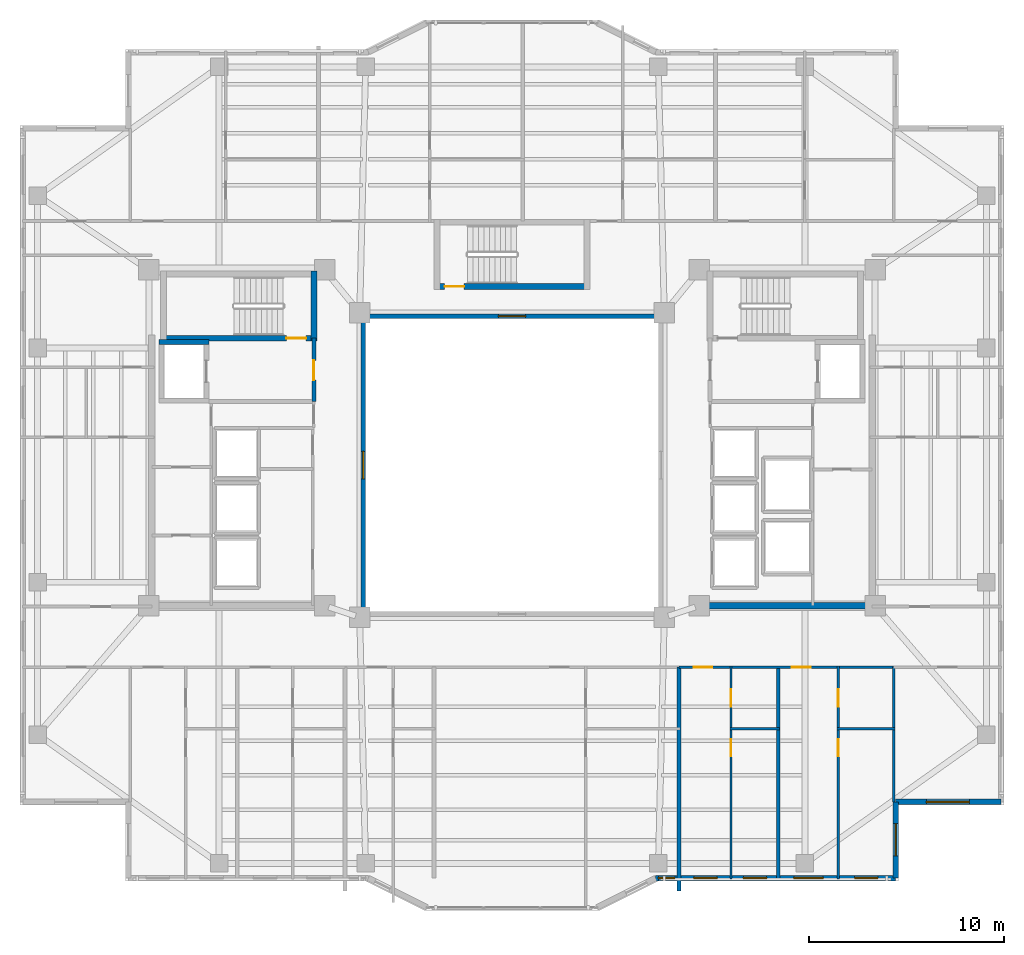
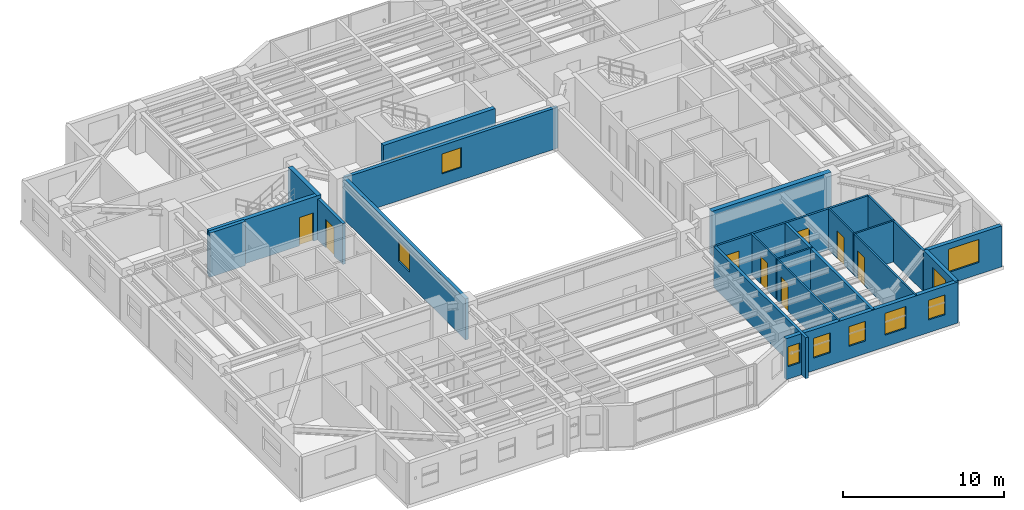
# One storey, part 8 of 16: 21 walls, 9 doors, 9 windows, 18 openings.
"""IFC4 building model written with IfcOpenShell, lengths in metres."""

import ifcopenshell
import ifcopenshell.guid

model = None  # the IFC model being written
_history = None  # IfcOwnerHistory: only IFC2X3 demands one
_inside = {}  # id of a spatial element -> (the spatial element, [elements in it])
_under = {}  # id of a project, library or spatial element -> (it, [spatial elements below it])
_declared = {}  # id of a project -> (the project, [libraries it declares])
_typed = {}  # id of a type object -> (the type object, [elements of that type])
_made_of = {}  # id of a material, layer set ... -> (it, [elements and type objects made of it])


def new_model(schema):
    """Start an empty IFC model of exactly this schema.

    Asked for "IFC4X3", IfcOpenShell would pick the latest addendum, in which some entities
    have other attributes; the version numbers below select the first issue.
    IFC2X3 requires an IfcOwnerHistory on every rooted entity: one is made here for all.
    """
    global model, _history
    if schema == "IFC4X3":
        model = ifcopenshell.file(schema_version=(4, 3, 0, 0))
    else:
        model = ifcopenshell.file(schema=schema)
    _inside.clear()
    _under.clear()
    _declared.clear()
    _typed.clear()
    _made_of.clear()
    _history = None
    if model.schema == "IFC2X3":
        org = make("IfcOrganization", Name="unknown")
        user = make(
            "IfcPersonAndOrganization",
            ThePerson=make("IfcPerson", FamilyName="unknown"),
            TheOrganization=org,
        )
        app = make(
            "IfcApplication",
            ApplicationDeveloper=org,
            Version="unknown",
            ApplicationFullName="unknown",
            ApplicationIdentifier="unknown",
        )
        _history = make(
            "IfcOwnerHistory",
            OwningUser=user,
            OwningApplication=app,
            ChangeAction="ADDED",
            CreationDate=0,
        )
    return model


def make(cls, **values):
    """One entity of the class cls with the attributes given. An attribute that is None is left unset."""
    return model.create_entity(
        cls, **{name: value for name, value in values.items() if value is not None}
    )


def rooted(cls, **values):
    """An entity with a GlobalId (a new one), such as an element, a storey or a relation."""
    return make(cls, GlobalId=ifcopenshell.guid.new(), OwnerHistory=_history, **values)


def si_unit(unit_type, name, prefix=None):
    """IfcSIUnit, for example si_unit("LENGTHUNIT", "METRE", prefix="MILLI")."""
    return make("IfcSIUnit", UnitType=unit_type, Prefix=prefix, Name=name)


def assignment(units):
    """IfcUnitAssignment: the units of a project."""
    return None if units is None else make("IfcUnitAssignment", Units=units)


def point(xyz):
    """IfcCartesianPoint."""
    return None if xyz is None else make("IfcCartesianPoint", Coordinates=xyz)


def direction(xyz):
    """IfcDirection."""
    return None if xyz is None else make("IfcDirection", DirectionRatios=xyz)


def frame(location, z_axis=None, x_axis=None):
    """IfcAxis2Placement3D, a coordinate frame: its origin and axes. An axis left out is left unset."""
    return make(
        "IfcAxis2Placement3D",
        Location=point(location),
        Axis=direction(z_axis),
        RefDirection=direction(x_axis),
    )


def frame_2d(location, x_axis=None):
    """IfcAxis2Placement2D, a coordinate frame in the plane: its origin and x axis."""
    return make(
        "IfcAxis2Placement2D", Location=point(location), RefDirection=direction(x_axis)
    )


def origin():
    """The frame at (0, 0, 0) with its axes left unset."""
    return frame((0.0, 0.0, 0.0))


def place(relative_to, where):
    """IfcLocalPlacement: puts the frame where relative to a parent placement (None: the world)."""
    return make(
        "IfcLocalPlacement", PlacementRelTo=relative_to, RelativePlacement=where
    )


def context(
    kind, dimensions, precision=None, world=None, true_north=None, identifier=None
):
    """IfcGeometricRepresentationContext, for example the 3D "Model" context."""
    return make(
        "IfcGeometricRepresentationContext",
        ContextIdentifier=identifier,
        ContextType=kind,
        CoordinateSpaceDimension=dimensions,
        Precision=precision,
        WorldCoordinateSystem=world,
        TrueNorth=true_north,
    )


def subcontext(parent, identifier, kind, view, scale=None):
    """IfcGeometricRepresentationSubContext, for example "Body" below "Model"."""
    return make(
        "IfcGeometricRepresentationSubContext",
        ContextIdentifier=identifier,
        ContextType=kind,
        ParentContext=parent,
        TargetScale=scale,
        TargetView=view,
    )


def project(units=None, contexts=None):
    """IfcProject with its units and contexts."""
    return rooted(
        "IfcProject",
        Name="project",
        RepresentationContexts=contexts,
        UnitsInContext=assignment(units),
    )


def spatial(cls, under=None, at=None, **own):
    """A site, building, storey or space (cls), placed at a placement, below another one or the project."""
    s = rooted(cls, ObjectPlacement=at, **own)
    if under is not None:
        _under.setdefault(under.id(), (under, []))[1].append(s)
    return s


def profile(cls, at=None, kind="AREA", **sizes):
    """A parametric profile (cls). Its sizes go by their IFC names, for example OverallWidth=200.0."""
    return make(cls, ProfileType=kind, Position=at, **sizes)


def rectangle(**sizes):
    """IfcRectangleProfileDef."""
    return profile("IfcRectangleProfileDef", **sizes)


def extrude(swept, where, along, depth):
    """IfcExtrudedAreaSolid: the profile swept, set in the frame where, extruded along a direction by depth."""
    return make(
        "IfcExtrudedAreaSolid",
        SweptArea=swept,
        Position=where,
        ExtrudedDirection=direction(along),
        Depth=depth,
    )


def shape(context_of_items, identifier, shape_type, items):
    """IfcShapeRepresentation: the items that make up one representation, for example the "Body"."""
    return make(
        "IfcShapeRepresentation",
        ContextOfItems=context_of_items,
        RepresentationIdentifier=identifier,
        RepresentationType=shape_type,
        Items=items,
    )


def material(Name=None, Category=None):
    """IfcMaterial."""
    return make("IfcMaterial", Name=Name, Category=Category)


def layer(
    of_material, thickness, ventilated=None, Name=None, Category=None, Priority=None
):
    """IfcMaterialLayer: one layer of a wall or slab, of a material (None: an air gap)."""
    return make(
        "IfcMaterialLayer",
        Material=of_material,
        LayerThickness=thickness,
        IsVentilated=ventilated,
        Name=Name,
        Category=Category,
        Priority=Priority,
    )


def layer_set(layers, Name=None):
    """IfcMaterialLayerSet."""
    return make("IfcMaterialLayerSet", MaterialLayers=layers, LayerSetName=Name)


def made_of(thing, what):
    """Note that an element or type object is made of a material, layer set ...; save() writes the relation."""
    if what is not None:
        _made_of.setdefault(what.id(), (what, []))[1].append(thing)
    return thing


def type_object(cls, material=None, **own):
    """A type object (cls), such as IfcWallType, which elements share."""
    return made_of(rooted(cls, **own), material)


def element(
    cls,
    number,
    at=None,
    inside=None,
    cuts=None,
    type_object=None,
    material=None,
    context=None,
    identifier="Body",
    shape_type=None,
    held_by="IfcProductDefinitionShape",
    body=None,
    shapes=None,
    **own,
):
    """One element of the class cls, such as IfcWall. Its Tag is "e" and its number.

    at: its placement. inside: the storey or other place that contains it. cuts: it is an
    opening in that element (IfcRelVoidsElement). A single representation is given by context,
    identifier, shape_type and body (its items); several are given by shapes. held_by: the class
    of the entity that holds the representations. save() writes the other relations.
    """
    e = rooted(cls, Tag="e%d" % number, ObjectPlacement=at, **own)
    if body is not None:
        shapes = [shape(context, identifier, shape_type, body)]
    if shapes is not None:
        e.Representation = make(held_by, Representations=shapes)
    if inside is not None:
        _inside.setdefault(inside.id(), (inside, []))[1].append(e)
    if cuts is not None:
        rooted(
            "IfcRelVoidsElement", RelatingBuildingElement=cuts, RelatedOpeningElement=e
        )
    if type_object is not None:
        _typed.setdefault(type_object.id(), (type_object, []))[1].append(e)
    return made_of(e, material)


def fill(opening, filler):
    """IfcRelFillsElement: the door or window that sits in an opening."""
    return rooted(
        "IfcRelFillsElement",
        RelatingOpeningElement=opening,
        RelatedBuildingElement=filler,
    )


def aggregate(whole, parts):
    """IfcRelAggregates: a whole, such as a stair, and the parts it consists of."""
    return rooted("IfcRelAggregates", RelatingObject=whole, RelatedObjects=parts)


def save(model, path):
    """Write the relations noted so far, then the file.

    IfcRelAggregates (storeys below a building ...), IfcRelContainedInSpatialStructure (elements
    in a storey), IfcRelDefinesByType, IfcRelAssociatesMaterial and IfcRelDeclares: one each for
    every whole, place, type object, material and project.
    """
    for whole, parts in _under.values():
        aggregate(whole, parts)
    for where, things in _inside.values():
        rooted(
            "IfcRelContainedInSpatialStructure",
            RelatedElements=things,
            RelatingStructure=where,
        )
    for kind, things in _typed.values():
        rooted("IfcRelDefinesByType", RelatedObjects=things, RelatingType=kind)
    for what, things in _made_of.values():
        rooted("IfcRelAssociatesMaterial", RelatedObjects=things, RelatingMaterial=what)
    for by, libraries in _declared.values():
        rooted("IfcRelDeclares", RelatingContext=by, RelatedDefinitions=libraries)
    model.write(path)


model = new_model("IFC4")

# Units and contexts
model_context = context("Model", 3, precision=1e-05, world=origin(), true_north=direction((0.0, 1.0)))
body_context = subcontext(model_context, "Body", "Model", "MODEL_VIEW")
ifc_project = project(units=[si_unit("LENGTHUNIT", "METRE"), si_unit("AREAUNIT", "SQUARE_METRE"), si_unit("VOLUMEUNIT", "CUBIC_METRE"), si_unit("PLANEANGLEUNIT", "RADIAN"), si_unit("MASSUNIT", "GRAM", prefix="KILO")], contexts=[model_context])

# Site, building, storey
site_placement = place(None, origin())
site = spatial("IfcSite", under=ifc_project, at=site_placement, CompositionType="ELEMENT")
building_placement = place(site_placement, origin())
building = spatial("IfcBuilding", under=site, at=building_placement, Name="Tarnavaz Court Tower", CompositionType="ELEMENT")
storey_placement = place(building_placement, frame((0.0, 0.0, 135.949951171875)))
storey = spatial("IfcBuildingStorey", under=building, at=storey_placement, Name="L36", CompositionType="ELEMENT", Elevation=135.949951171875)

# Wall
ifc_material_1 = material(Name="Concrete C50/60", Category="concrete")
ifc_layer_1 = layer(ifc_material_1, 0.25)
ifc_layer_set_1 = layer_set([ifc_layer_1], Name="Concrete C50/60")
wall_type_1 = type_object("IfcWallType", Name="WL-CORE-250-C50", PredefinedType="SHEAR", material=ifc_layer_set_1)
wall_1_placement = place(storey_placement, frame((-18.074951171875, 6.300048828125, 0.0), z_axis=(0.0, 0.0, 1.0), x_axis=(1.0, 0.0, 0.0)))
element("IfcWall", 1, at=wall_1_placement, inside=storey, type_object=wall_type_1, Name="L36 Lift FL-W1 Shaft Wall 020", PredefinedType="SHEAR", context=body_context, shape_type="SweptSolid", body=[
    extrude(rectangle(XDim=2.550048828125, YDim=0.25, at=frame_2d((1.27490234375, 0.0))), origin(), (0.0, 0.0, 1.0), 3.35009765625),
])

# Wall, opening, door
ifc_layer_2 = layer(ifc_material_1, 0.300048828125)
ifc_layer_set_2 = layer_set([ifc_layer_2], Name="Concrete C50/60")
wall_type_2 = type_object("IfcWallType", Name="WL-CORE-300-C50", PredefinedType="SHEAR", material=ifc_layer_set_2)
wall_2_placement = place(storey_placement, frame((-18.0, 6.5, 0.0), z_axis=(0.0, 0.0, 1.0), x_axis=(1.0, 0.0, 0.0)))
wall_2 = element("IfcWall", 2, at=wall_2_placement, inside=storey, type_object=wall_type_2, Name="L36 West Stair Core Wall 002", PredefinedType="SHEAR", context=body_context, shape_type="SweptSolid", body=[
    extrude(rectangle(XDim=8.0, YDim=0.300048828125, at=frame_2d((4.0, 0.0))), origin(), (0.0, 0.0, 1.0), 3.35009765625),
])
opening_1_placement = place(wall_2_placement, frame((6.449951171875, 0.0, 0.0)))
opening_1 = element("IfcOpeningElement", 3, at=opening_1_placement, cuts=wall_2, Name="Opening D01", PredefinedType="OPENING", context=body_context, shape_type="SweptSolid", body=[
    extrude(rectangle(XDim=1.0, YDim=2.14990234375, at=frame_2d((0.5, 1.074951171875))), frame((0.0, 0.159912109375, 0.0), z_axis=(0.0, -1.0, 0.0), x_axis=(1.0, 0.0, 0.0)), (0.0, 0.0, 1.0), 0.320068359375),
])
ifc_material_2 = material(Name="Fire-Rated Hardwood Timber Core", Category="wood")
door_type_1 = type_object("IfcDoorType", Name="DR-FD90-1000", OperationType="NOTDEFINED", PredefinedType="DOOR", material=ifc_material_2)
door_1_placement = place(opening_1_placement, origin())
door_1 = element("IfcDoor", 4, at=door_1_placement, inside=storey, type_object=door_type_1, Name="L36 Stair ST-W1 Exit Door", OperationType="SINGLE_SWING_LEFT", OverallHeight=2.14990234375, OverallWidth=1.0, PredefinedType="DOOR", context=body_context, shape_type="SweptSolid", body=[
    extrude(rectangle(XDim=1.0, YDim=2.14990234375, at=frame_2d((0.5, 1.074951171875))), frame((0.0, 0.02490234375, 0.0), z_axis=(0.0, -1.0, 0.0), x_axis=(1.0, 0.0, 0.0)), (0.0, 0.0, 1.0), 0.050048828125),
])
fill(opening_1, door_1)

# Wall
wall_3_placement = place(storey_placement, frame((-10.14990234375, 6.35009765625, 0.0), z_axis=(0.0, 0.0, 1.0), x_axis=(0.0, 1.0, 0.0)))
element("IfcWall", 5, at=wall_3_placement, inside=storey, type_object=wall_type_2, Name="L36 West Stair Core Wall 004", PredefinedType="SHEAR", context=body_context, shape_type="SweptSolid", body=[
    extrude(rectangle(XDim=3.58984375, YDim=0.300048828125, at=frame_2d((1.794921875, 0.0))), origin(), (0.0, 0.0, 1.0), 3.35009765625),
])

# Wall, opening, door
wall_4_placement = place(storey_placement, frame((-4.0, 9.14990234375, 0.0), z_axis=(0.0, 0.0, 1.0), x_axis=(1.0, 0.0, 0.0)))
wall_4 = element("IfcWall", 6, at=wall_4_placement, inside=storey, type_object=wall_type_2, Name="L36 North Stair Core Wall 010", PredefinedType="SHEAR", context=body_context, shape_type="SweptSolid", body=[
    extrude(rectangle(XDim=8.0, YDim=0.300048828125, at=frame_2d((4.0, 0.0))), origin(), (0.0, 0.0, 1.0), 3.35009765625),
])
opening_2_placement = place(wall_4_placement, frame((0.550048828125, 0.0, 0.0)))
opening_2 = element("IfcOpeningElement", 7, at=opening_2_placement, cuts=wall_4, Name="Opening D01", PredefinedType="OPENING", context=body_context, shape_type="SweptSolid", body=[
    extrude(rectangle(XDim=1.0, YDim=2.14990234375, at=frame_2d((0.5, 1.074951171875))), frame((0.0, 0.159912109375, 0.0), z_axis=(0.0, -1.0, 0.0), x_axis=(1.0, 0.0, 0.0)), (0.0, 0.0, 1.0), 0.320068359375),
])
door_2_placement = place(opening_2_placement, origin())
door_2 = element("IfcDoor", 8, at=door_2_placement, inside=storey, type_object=door_type_1, Name="L36 Stair ST-N1 Exit Door", OperationType="SINGLE_SWING_LEFT", OverallHeight=2.14990234375, OverallWidth=1.0, PredefinedType="DOOR", context=body_context, shape_type="SweptSolid", body=[
    extrude(rectangle(XDim=1.0, YDim=2.14990234375, at=frame_2d((0.5, 1.074951171875))), frame((0.0, 0.02490234375, 0.0), z_axis=(0.0, -1.0, 0.0), x_axis=(1.0, 0.0, 0.0)), (0.0, 0.0, 1.0), 0.050048828125),
])
fill(opening_2, door_2)

# Wall
ifc_layer_3 = layer(ifc_material_1, 0.35009765625)
ifc_layer_set_3 = layer_set([ifc_layer_3], Name="Concrete C50/60")
wall_type_3 = type_object("IfcWallType", Name="WL-CORE-350-C50", PredefinedType="SHEAR", material=ifc_layer_set_3)
wall_5_placement = place(storey_placement, frame((10.074951171875, -7.199951171875, 0.0), z_axis=(0.0, 0.0, 1.0), x_axis=(1.0, 0.0, 0.0)))
element("IfcWall", 9, at=wall_5_placement, inside=storey, type_object=wall_type_3, Name="L36 East Core South Shear Wall 060", PredefinedType="SHEAR", context=body_context, shape_type="SweptSolid", body=[
    extrude(rectangle(XDim=8.550048828125, YDim=0.35009765625, at=frame_2d((4.27490234375, 0.0))), origin(), (0.0, 0.0, 1.0), 3.35009765625),
])

# Wall, opening, window
ifc_material_3 = material(Name="Precast Concrete C40/50", Category="concrete")
ifc_layer_4 = layer(ifc_material_3, 0.280029296875)
ifc_layer_set_4 = layer_set([ifc_layer_4], Name="Precast Concrete C40/50")
wall_type_4 = type_object("IfcWallType", Name="WL-EXT-280", PredefinedType="SOLIDWALL", material=ifc_layer_set_4)
wall_6_placement = place(storey_placement, frame((25.050048828125, -17.25, 0.0), z_axis=(0.0, 0.0, 1.0), x_axis=(-1.0, 0.0, 0.0)))
wall_6 = element("IfcWall", 10, at=wall_6_placement, inside=storey, type_object=wall_type_4, Name="L36 Exterior Terracotta Facade Wall 13", PredefinedType="SOLIDWALL", context=body_context, shape_type="SweptSolid", body=[
    extrude(rectangle(XDim=5.400146484375, YDim=0.280029296875, at=frame_2d((2.7001953125, 0.0))), origin(), (0.0, 0.0, 1.0), 3.10009765625),
])
opening_3_placement = place(wall_6_placement, frame((1.625, 0.0, 0.89990234375)))
opening_3 = element("IfcOpeningElement", 11, at=opening_3_placement, cuts=wall_6, Name="Opening W07", PredefinedType="OPENING", context=body_context, shape_type="SweptSolid", body=[
    extrude(rectangle(XDim=2.199951171875, YDim=1.75, at=frame_2d((1.10009765625, 0.875))), frame((0.0, 0.14990234375, 0.0), z_axis=(0.0, -1.0, 0.0), x_axis=(1.0, 0.0, 0.0)), (0.0, 0.0, 1.0), 0.300048828125),
])
ifc_material_4 = material(Name="Double-Glazed Solar Low-E Glass", Category="glass")
window_type_1 = type_object("IfcWindowType", Name="WN-APT-2200", PartitioningType="TRIPLE_PANEL_VERTICAL", PredefinedType="WINDOW", material=ifc_material_4)
window_1_placement = place(opening_3_placement, origin())
window_1 = element("IfcWindow", 12, at=window_1_placement, inside=storey, type_object=window_type_1, Name="L36 South-East Corner Reading Room Window", OverallHeight=1.75, OverallWidth=2.199951171875, PartitioningType="SINGLE_PANEL", PredefinedType="WINDOW", context=body_context, shape_type="SweptSolid", body=[
    extrude(rectangle(XDim=2.199951171875, YDim=1.75, at=frame_2d((1.10009765625, 0.875))), frame((0.0, 0.030029296875, 0.0), z_axis=(0.0, -1.0, 0.0), x_axis=(1.0, 0.0, 0.0)), (0.0, 0.0, 1.0), 0.06005859375),
])
fill(opening_3, window_1)

wall_7_placement = place(storey_placement, frame((19.64990234375, -17.25, 0.0), z_axis=(0.0, 0.0, 1.0), x_axis=(0.0, -1.0, 0.0)))
wall_7 = element("IfcWall", 13, at=wall_7_placement, inside=storey, type_object=wall_type_4, Name="L36 Exterior Terracotta Facade Wall 14", PredefinedType="SOLIDWALL", context=body_context, shape_type="SweptSolid", body=[
    extrude(rectangle(XDim=3.89990234375, YDim=0.280029296875, at=frame_2d((1.949951171875, 0.0))), origin(), (0.0, 0.0, 1.0), 3.10009765625),
])
opening_4_placement = place(wall_7_placement, frame((1.107177734375, 0.0, 0.89990234375)))
opening_4 = element("IfcOpeningElement", 14, at=opening_4_placement, cuts=wall_7, Name="Opening W02", PredefinedType="OPENING", context=body_context, shape_type="SweptSolid", body=[
    extrude(rectangle(XDim=1.64990234375, YDim=1.60009765625, at=frame_2d((0.824951171875, 0.800048828125))), frame((0.0, 0.14990234375, 0.0), z_axis=(0.0, -1.0, 0.0), x_axis=(1.0, 0.0, 0.0)), (0.0, 0.0, 1.0), 0.300048828125),
])
window_type_2 = type_object("IfcWindowType", Name="WN-APT-1650", PartitioningType="DOUBLE_PANEL_VERTICAL", PredefinedType="WINDOW", material=ifc_material_4)
window_2_placement = place(opening_4_placement, origin())
window_2 = element("IfcWindow", 15, at=window_2_placement, inside=storey, type_object=window_type_2, Name="L36 Flat 08 Kitchen Window", OverallHeight=1.60009765625, OverallWidth=1.64990234375, PartitioningType="SINGLE_PANEL", PredefinedType="WINDOW", context=body_context, shape_type="SweptSolid", body=[
    extrude(rectangle(XDim=1.64990234375, YDim=1.60009765625, at=frame_2d((0.824951171875, 0.800048828125))), frame((0.0, 0.030029296875, 0.0), z_axis=(0.0, -1.0, 0.0), x_axis=(1.0, 0.0, 0.0)), (0.0, 0.0, 1.0), 0.06005859375),
])
fill(opening_4, window_2)

# Wall, openings, windows
wall_8_placement = place(storey_placement, frame((19.64990234375, -21.14990234375, 0.0), z_axis=(0.0, 0.0, 1.0), x_axis=(-1.0, 0.0, 0.0)))
wall_8 = element("IfcWall", 16, at=wall_8_placement, inside=storey, type_object=wall_type_4, Name="L36 Exterior Terracotta Facade Wall 15", PredefinedType="SOLIDWALL", context=body_context, shape_type="SweptSolid", body=[
    extrude(rectangle(XDim=12.2998046875, YDim=0.280029296875, at=frame_2d((6.14990234375, 0.0))), origin(), (0.0, 0.0, 1.0), 3.10009765625),
])
opening_5_placement = place(wall_8_placement, frame((0.906005859375, 0.0, 0.949951171875)))
opening_5 = element("IfcOpeningElement", 17, at=opening_5_placement, cuts=wall_8, Name="Opening W05", PredefinedType="OPENING", context=body_context, shape_type="SweptSolid", body=[
    extrude(rectangle(XDim=1.199951171875, YDim=1.5, at=frame_2d((0.60009765625, 0.75))), frame((0.0, 0.14990234375, 0.0), z_axis=(0.0, -1.0, 0.0), x_axis=(1.0, 0.0, 0.0)), (0.0, 0.0, 1.0), 0.300048828125),
])
opening_6_placement = place(wall_8_placement, frame((3.71826171875, 0.0, 0.89990234375)))
opening_6 = element("IfcOpeningElement", 18, at=opening_6_placement, cuts=wall_8, Name="Opening W03", PredefinedType="OPENING", context=body_context, shape_type="SweptSolid", body=[
    extrude(rectangle(XDim=1.5, YDim=1.64990234375, at=frame_2d((0.75, 0.824951171875))), frame((0.0, 0.14990234375, 0.0), z_axis=(0.0, -1.0, 0.0), x_axis=(1.0, 0.0, 0.0)), (0.0, 0.0, 1.0), 0.300048828125),
])
opening_7_placement = place(wall_8_placement, frame((6.604248046875, 0.0, 0.949951171875)))
opening_7 = element("IfcOpeningElement", 19, at=opening_7_placement, cuts=wall_8, Name="Opening W05", PredefinedType="OPENING", context=body_context, shape_type="SweptSolid", body=[
    extrude(rectangle(XDim=1.199951171875, YDim=1.5, at=frame_2d((0.60009765625, 0.75))), frame((0.0, 0.14990234375, 0.0), z_axis=(0.0, -1.0, 0.0), x_axis=(1.0, 0.0, 0.0)), (0.0, 0.0, 1.0), 0.300048828125),
])
opening_8_placement = place(wall_8_placement, frame((9.1396484375, 0.0, 0.949951171875)))
opening_8 = element("IfcOpeningElement", 20, at=opening_8_placement, cuts=wall_8, Name="Opening W05", PredefinedType="OPENING", context=body_context, shape_type="SweptSolid", body=[
    extrude(rectangle(XDim=1.199951171875, YDim=1.5, at=frame_2d((0.60009765625, 0.75))), frame((0.0, 0.14990234375, 0.0), z_axis=(0.0, -1.0, 0.0), x_axis=(1.0, 0.0, 0.0)), (0.0, 0.0, 1.0), 0.300048828125),
])
opening_9_placement = place(wall_8_placement, frame((11.302978515625, 0.0, 0.949951171875)))
opening_9 = element("IfcOpeningElement", 21, at=opening_9_placement, cuts=wall_8, Name="Opening W15", PredefinedType="OPENING", context=body_context, shape_type="SweptSolid", body=[
    extrude(rectangle(XDim=0.85009765625, YDim=1.5, at=frame_2d((0.425048828125, 0.75))), frame((0.0, 0.14990234375, 0.0), z_axis=(0.0, -1.0, 0.0), x_axis=(1.0, 0.0, 0.0)), (0.0, 0.0, 1.0), 0.300048828125),
])
window_type_3 = type_object("IfcWindowType", Name="WN-APT-1200", PartitioningType="SINGLE_PANEL", PredefinedType="WINDOW", material=ifc_material_4)
window_3_placement = place(opening_5_placement, origin())
window_3 = element("IfcWindow", 22, at=window_3_placement, inside=storey, type_object=window_type_3, Name="L36 Flat 08 Kitchen Window", OverallHeight=1.5, OverallWidth=1.199951171875, PartitioningType="SINGLE_PANEL", PredefinedType="WINDOW", context=body_context, shape_type="SweptSolid", body=[
    extrude(rectangle(XDim=1.199951171875, YDim=1.5, at=frame_2d((0.60009765625, 0.75))), frame((0.0, 0.030029296875, 0.0), z_axis=(0.0, -1.0, 0.0), x_axis=(1.0, 0.0, 0.0)), (0.0, 0.0, 1.0), 0.06005859375),
])
fill(opening_5, window_3)
window_4_placement = place(opening_7_placement, origin())
window_4 = element("IfcWindow", 23, at=window_4_placement, inside=storey, type_object=window_type_3, Name="L36 Flat 07 Kitchen Window", OverallHeight=1.5, OverallWidth=1.199951171875, PartitioningType="SINGLE_PANEL", PredefinedType="WINDOW", context=body_context, shape_type="SweptSolid", body=[
    extrude(rectangle(XDim=1.199951171875, YDim=1.5, at=frame_2d((0.60009765625, 0.75))), frame((0.0, 0.030029296875, 0.0), z_axis=(0.0, -1.0, 0.0), x_axis=(1.0, 0.0, 0.0)), (0.0, 0.0, 1.0), 0.06005859375),
])
fill(opening_7, window_4)
window_5_placement = place(opening_8_placement, origin())
window_5 = element("IfcWindow", 24, at=window_5_placement, inside=storey, type_object=window_type_3, Name="L36 Flat 07 Studio Living and Sleeping Room Window", OverallHeight=1.5, OverallWidth=1.199951171875, PartitioningType="SINGLE_PANEL", PredefinedType="WINDOW", context=body_context, shape_type="SweptSolid", body=[
    extrude(rectangle(XDim=1.199951171875, YDim=1.5, at=frame_2d((0.60009765625, 0.75))), frame((0.0, 0.030029296875, 0.0), z_axis=(0.0, -1.0, 0.0), x_axis=(1.0, 0.0, 0.0)), (0.0, 0.0, 1.0), 0.06005859375),
])
fill(opening_8, window_5)
window_type_4 = type_object("IfcWindowType", Name="WN-APT-1500", PartitioningType="DOUBLE_PANEL_VERTICAL", PredefinedType="WINDOW", material=ifc_material_4)
window_6_placement = place(opening_6_placement, origin())
window_6 = element("IfcWindow", 25, at=window_6_placement, inside=storey, type_object=window_type_4, Name="L36 Flat 08 Studio Living and Sleeping Room Window", OverallHeight=1.64990234375, OverallWidth=1.5, PartitioningType="SINGLE_PANEL", PredefinedType="WINDOW", context=body_context, shape_type="SweptSolid", body=[
    extrude(rectangle(XDim=1.5, YDim=1.64990234375, at=frame_2d((0.75, 0.824951171875))), frame((0.0, 0.030029296875, 0.0), z_axis=(0.0, -1.0, 0.0), x_axis=(1.0, 0.0, 0.0)), (0.0, 0.0, 1.0), 0.06005859375),
])
fill(opening_6, window_6)
window_type_5 = type_object("IfcWindowType", Name="WN-APT-850", PartitioningType="SINGLE_PANEL", PredefinedType="WINDOW", material=ifc_material_4)
window_7_placement = place(opening_9_placement, origin())
window_7 = element("IfcWindow", 26, at=window_7_placement, inside=storey, type_object=window_type_5, Name="L36 Flat 10 Kitchen Window", OverallHeight=1.5, OverallWidth=0.85009765625, PartitioningType="SINGLE_PANEL", PredefinedType="WINDOW", context=body_context, shape_type="SweptSolid", body=[
    extrude(rectangle(XDim=0.85009765625, YDim=1.5, at=frame_2d((0.425048828125, 0.75))), frame((0.0, 0.030029296875, 0.0), z_axis=(0.0, -1.0, 0.0), x_axis=(1.0, 0.0, 0.0)), (0.0, 0.0, 1.0), 0.06005859375),
])
fill(opening_9, window_7)

# Wall, openings, doors
ifc_material_5 = material(Name="Gypsum Fire-Board on Acoustic Metal Stud", Category="masonry")
ifc_layer_5 = layer(ifc_material_5, 0.14990234375)
ifc_layer_set_5 = layer_set([ifc_layer_5], Name="Gypsum Fire-Board on Acoustic Metal Stud")
wall_type_5 = type_object("IfcWallType", Name="WL-FIRE-150", PredefinedType="PARTITIONING", material=ifc_layer_set_5)
wall_9_placement = place(storey_placement, frame((8.550048828125, -10.35009765625, 0.0), z_axis=(0.0, 0.0, 1.0), x_axis=(1.0, 0.0, 0.0)))
wall_9 = element("IfcWall", 27, at=wall_9_placement, inside=storey, type_object=wall_type_5, Name="L36 SE Horseshoe Wall 075", PredefinedType="PARTITIONING", context=body_context, shape_type="SweptSolid", body=[
    extrude(rectangle(XDim=11.0, YDim=0.14990234375, at=frame_2d((5.5, 0.0))), origin(), (0.0, 0.0, 1.0), 3.10009765625),
])
opening_10_placement = place(wall_9_placement, frame((0.75, 0.0, 0.0)))
opening_10 = element("IfcOpeningElement", 28, at=opening_10_placement, cuts=wall_9, Name="Opening D06", PredefinedType="OPENING", context=body_context, shape_type="SweptSolid", body=[
    extrude(rectangle(XDim=0.9599609375, YDim=2.14990234375, at=frame_2d((0.47998046875, 1.074951171875))), frame((0.0, 0.0849609375, 0.0), z_axis=(0.0, -1.0, 0.0), x_axis=(1.0, 0.0, 0.0)), (0.0, 0.0, 1.0), 0.169921875),
])
opening_11_placement = place(wall_9_placement, frame((5.787109375, 0.0, 0.0)))
opening_11 = element("IfcOpeningElement", 29, at=opening_11_placement, cuts=wall_9, Name="Opening D06", PredefinedType="OPENING", context=body_context, shape_type="SweptSolid", body=[
    extrude(rectangle(XDim=0.9599609375, YDim=2.14990234375, at=frame_2d((0.47998046875, 1.074951171875))), frame((0.0, 0.0849609375, 0.0), z_axis=(0.0, -1.0, 0.0), x_axis=(1.0, 0.0, 0.0)), (0.0, 0.0, 1.0), 0.169921875),
])
door_type_2 = type_object("IfcDoorType", Name="DR-FD60-950", OperationType="NOTDEFINED", PredefinedType="DOOR", material=ifc_material_2)
door_3_placement = place(opening_10_placement, origin())
door_3 = element("IfcDoor", 30, at=door_3_placement, inside=storey, type_object=door_type_2, Name="L36 Flat 07 Entrance Door", OperationType="SINGLE_SWING_RIGHT", OverallHeight=2.14990234375, OverallWidth=0.9599609375, PredefinedType="DOOR", context=body_context, shape_type="SweptSolid", body=[
    extrude(rectangle(XDim=0.9599609375, YDim=2.14990234375, at=frame_2d((0.47998046875, 1.074951171875))), frame((0.0, 0.02490234375, 0.0), z_axis=(0.0, -1.0, 0.0), x_axis=(1.0, 0.0, 0.0)), (0.0, 0.0, 1.0), 0.050048828125),
])
fill(opening_10, door_3)
door_4_placement = place(opening_11_placement, origin())
door_4 = element("IfcDoor", 31, at=door_4_placement, inside=storey, type_object=door_type_2, Name="L36 Flat 08 Entrance Door", OperationType="SINGLE_SWING_LEFT", OverallHeight=2.14990234375, OverallWidth=0.9599609375, PredefinedType="DOOR", context=body_context, shape_type="SweptSolid", body=[
    extrude(rectangle(XDim=0.9599609375, YDim=2.14990234375, at=frame_2d((0.47998046875, 1.074951171875))), frame((0.0, 0.02490234375, 0.0), z_axis=(0.0, -1.0, 0.0), x_axis=(1.0, 0.0, 0.0)), (0.0, 0.0, 1.0), 0.050048828125),
])
fill(opening_11, door_4)

# Wall, opening, door
ifc_material_6 = material(Name="Autoclaved Aerated Concrete Blockwork", Category="masonry")
ifc_layer_6 = layer(ifc_material_6, 0.199951171875)
ifc_layer_set_6 = layer_set([ifc_layer_6], Name="Autoclaved Aerated Concrete Blockwork")
wall_type_6 = type_object("IfcWallType", Name="WL-FIRE-200", PredefinedType="SOLIDWALL", material=ifc_layer_set_6)
wall_10_placement = place(storey_placement, frame((-10.14990234375, 3.25, 0.0), z_axis=(0.0, 0.0, 1.0), x_axis=(0.0, 1.0, 0.0)))
wall_10 = element("IfcWall", 32, at=wall_10_placement, inside=storey, type_object=wall_type_6, Name="L36 West Firefighting Lobby Wall 014", PredefinedType="SOLIDWALL", context=body_context, shape_type="SweptSolid", body=[
    extrude(rectangle(XDim=3.25, YDim=0.199951171875, at=frame_2d((1.625, 0.0))), origin(), (0.0, 0.0, 1.0), 3.10009765625),
])
opening_12_placement = place(wall_10_placement, frame((1.10009765625, 0.0, 0.0)))
opening_12 = element("IfcOpeningElement", 33, at=opening_12_placement, cuts=wall_10, Name="Opening D05", PredefinedType="OPENING", context=body_context, shape_type="SweptSolid", body=[
    extrude(rectangle(XDim=1.02001953125, YDim=2.14990234375, at=frame_2d((0.510009765625, 1.074951171875))), frame((0.0, 0.10986328125, 0.0), z_axis=(0.0, -1.0, 0.0), x_axis=(1.0, 0.0, 0.0)), (0.0, 0.0, 1.0), 0.219970703125),
])
door_type_3 = type_object("IfcDoorType", Name="DR-FD60-1000", OperationType="NOTDEFINED", PredefinedType="DOOR", material=ifc_material_2)
door_5_placement = place(opening_12_placement, origin())
door_5 = element("IfcDoor", 34, at=door_5_placement, inside=storey, type_object=door_type_3, Name="L36 West Firefighting Lobby Door", OperationType="SINGLE_SWING_RIGHT", OverallHeight=2.14990234375, OverallWidth=1.02001953125, PredefinedType="DOOR", context=body_context, shape_type="SweptSolid", body=[
    extrude(rectangle(XDim=1.02001953125, YDim=2.14990234375, at=frame_2d((0.510009765625, 1.074951171875))), frame((0.0, 0.02490234375, 0.0), z_axis=(0.0, -1.0, 0.0), x_axis=(1.0, 0.0, 0.0)), (0.0, 0.0, 1.0), 0.050048828125),
])
fill(opening_12, door_5)

# Walls
wall_11_placement = place(storey_placement, frame((13.636962890625, -21.199951171875, 0.0), z_axis=(0.0, 0.0, 1.0), x_axis=(0.0, 1.0, 0.0)))
element("IfcWall", 35, at=wall_11_placement, inside=storey, type_object=wall_type_6, Name="L36 Party Wall 098", PredefinedType="SOLIDWALL", context=body_context, shape_type="SweptSolid", body=[
    extrude(rectangle(XDim=10.849853515625, YDim=0.199951171875, at=frame_2d((5.4248046875, 0.0))), origin(), (0.0, 0.0, 1.0), 3.10009765625),
])
wall_12_placement = place(storey_placement, frame((8.550048828125, -21.803955078125, 0.0), z_axis=(0.0, 0.0, 1.0), x_axis=(0.0, 1.0, 0.0)))
element("IfcWall", 36, at=wall_12_placement, inside=storey, type_object=wall_type_6, Name="L36 Party Wall 106", PredefinedType="SOLIDWALL", context=body_context, shape_type="SweptSolid", body=[
    extrude(rectangle(XDim=11.453857421875, YDim=0.199951171875, at=frame_2d((5.72705078125, 0.0))), origin(), (0.0, 0.0, 1.0), 3.10009765625),
])

# Wall, opening, door
ifc_material_7 = material(Name="Moisture-Resistant Gypsum Board Partition", Category="masonry")
ifc_layer_7 = layer(ifc_material_7, 0.1201171875)
ifc_layer_set_7 = layer_set([ifc_layer_7], Name="Moisture-Resistant Gypsum Board Partition")
wall_type_7 = type_object("IfcWallType", Name="WL-PART-120", PredefinedType="PARTITIONING", material=ifc_layer_set_7)
wall_13_placement = place(storey_placement, frame((11.217041015625, -21.199951171875, 0.0), z_axis=(0.0, 0.0, 1.0), x_axis=(0.0, 1.0, 0.0)))
wall_13 = element("IfcWall", 37, at=wall_13_placement, inside=storey, type_object=wall_type_7, Name="L36 Interior Partition 099", PredefinedType="PARTITIONING", context=body_context, shape_type="SweptSolid", body=[
    extrude(rectangle(XDim=7.68994140625, YDim=0.1201171875, at=frame_2d((3.844970703125, 0.0))), origin(), (0.0, 0.0, 1.0), 3.10009765625),
])
opening_13_placement = place(wall_13_placement, frame((6.2900390625, 0.0, 0.0)))
opening_13 = element("IfcOpeningElement", 38, at=opening_13_placement, cuts=wall_13, Name="Opening D14", PredefinedType="OPENING", context=body_context, shape_type="SweptSolid", body=[
    extrude(rectangle(XDim=0.8798828125, YDim=2.10009765625, at=frame_2d((0.43994140625, 1.050048828125))), frame((0.0, 0.070068359375, 0.0), z_axis=(0.0, -1.0, 0.0), x_axis=(1.0, 0.0, 0.0)), (0.0, 0.0, 1.0), 0.14013671875),
])
ifc_material_8 = material(Name="Engineered Oak Timber", Category="wood")
door_type_4 = type_object("IfcDoorType", Name="DR-INT-900", OperationType="NOTDEFINED", PredefinedType="DOOR", material=ifc_material_8)
door_6_placement = place(opening_13_placement, origin())
door_6 = element("IfcDoor", 39, at=door_6_placement, inside=storey, type_object=door_type_4, Name="L36 Flat 07 Kitchen Door", OperationType="SINGLE_SWING_LEFT", OverallHeight=2.10009765625, OverallWidth=0.8798828125, PredefinedType="DOOR", context=body_context, shape_type="SweptSolid", body=[
    extrude(rectangle(XDim=0.8798828125, YDim=2.10009765625, at=frame_2d((0.43994140625, 1.050048828125))), frame((0.0, 0.02490234375, 0.0), z_axis=(0.0, -1.0, 0.0), x_axis=(1.0, 0.0, 0.0)), (0.0, 0.0, 1.0), 0.050048828125),
])
fill(opening_13, door_6)

wall_14_placement = place(storey_placement, frame((11.217041015625, -13.510009765625, 0.0), z_axis=(0.0, 0.0, 1.0), x_axis=(0.0, 1.0, 0.0)))
wall_14 = element("IfcWall", 40, at=wall_14_placement, inside=storey, type_object=wall_type_7, Name="L36 Interior Partition 100", PredefinedType="PARTITIONING", context=body_context, shape_type="SweptSolid", body=[
    extrude(rectangle(XDim=3.219970703125, YDim=0.1201171875, at=frame_2d((1.60986328125, 0.0))), origin(), (0.0, 0.0, 1.0), 3.10009765625),
])
opening_14_placement = place(wall_14_placement, frame((1.139892578125, 0.0, 0.0)))
opening_14 = element("IfcOpeningElement", 41, at=opening_14_placement, cuts=wall_14, Name="Opening D14", PredefinedType="OPENING", context=body_context, shape_type="SweptSolid", body=[
    extrude(rectangle(XDim=0.8798828125, YDim=2.10009765625, at=frame_2d((0.43994140625, 1.050048828125))), frame((0.0, 0.070068359375, 0.0), z_axis=(0.0, -1.0, 0.0), x_axis=(1.0, 0.0, 0.0)), (0.0, 0.0, 1.0), 0.14013671875),
])
door_7_placement = place(opening_14_placement, origin())
door_7 = element("IfcDoor", 42, at=door_7_placement, inside=storey, type_object=door_type_4, Name="L36 Flat 07 Bathroom Door", OperationType="SINGLE_SWING_RIGHT", OverallHeight=2.10009765625, OverallWidth=0.8798828125, PredefinedType="DOOR", context=body_context, shape_type="SweptSolid", body=[
    extrude(rectangle(XDim=0.8798828125, YDim=2.10009765625, at=frame_2d((0.43994140625, 1.050048828125))), frame((0.0, 0.02490234375, 0.0), z_axis=(0.0, -1.0, 0.0), x_axis=(1.0, 0.0, 0.0)), (0.0, 0.0, 1.0), 0.050048828125),
])
fill(opening_14, door_7)

# Wall
wall_15_placement = place(storey_placement, frame((11.156982421875, -13.510009765625, 0.0), z_axis=(0.0, 0.0, 1.0), x_axis=(1.0, 0.0, 0.0)))
element("IfcWall", 43, at=wall_15_placement, inside=storey, type_object=wall_type_7, Name="L36 Interior Partition 101", PredefinedType="PARTITIONING", context=body_context, shape_type="SweptSolid", body=[
    extrude(rectangle(XDim=2.5400390625, YDim=0.1201171875, at=frame_2d((1.27001953125, 0.0))), origin(), (0.0, 0.0, 1.0), 3.10009765625),
])

# Wall, opening, door
wall_16_placement = place(storey_placement, frame((16.708984375, -21.199951171875, 0.0), z_axis=(0.0, 0.0, 1.0), x_axis=(0.0, 1.0, 0.0)))
wall_16 = element("IfcWall", 44, at=wall_16_placement, inside=storey, type_object=wall_type_7, Name="L36 Interior Partition 102", PredefinedType="PARTITIONING", context=body_context, shape_type="SweptSolid", body=[
    extrude(rectangle(XDim=7.68994140625, YDim=0.1201171875, at=frame_2d((3.844970703125, 0.0))), origin(), (0.0, 0.0, 1.0), 3.10009765625),
])
opening_15_placement = place(wall_16_placement, frame((6.2900390625, 0.0, 0.0)))
opening_15 = element("IfcOpeningElement", 45, at=opening_15_placement, cuts=wall_16, Name="Opening D14", PredefinedType="OPENING", context=body_context, shape_type="SweptSolid", body=[
    extrude(rectangle(XDim=0.8798828125, YDim=2.10009765625, at=frame_2d((0.43994140625, 1.050048828125))), frame((0.0, 0.070068359375, 0.0), z_axis=(0.0, -1.0, 0.0), x_axis=(1.0, 0.0, 0.0)), (0.0, 0.0, 1.0), 0.14013671875),
])
door_8_placement = place(opening_15_placement, origin())
door_8 = element("IfcDoor", 46, at=door_8_placement, inside=storey, type_object=door_type_4, Name="L36 Flat 08 Kitchen Door", OperationType="SINGLE_SWING_RIGHT", OverallHeight=2.10009765625, OverallWidth=0.8798828125, PredefinedType="DOOR", context=body_context, shape_type="SweptSolid", body=[
    extrude(rectangle(XDim=0.8798828125, YDim=2.10009765625, at=frame_2d((0.43994140625, 1.050048828125))), frame((0.0, 0.02490234375, 0.0), z_axis=(0.0, -1.0, 0.0), x_axis=(1.0, 0.0, 0.0)), (0.0, 0.0, 1.0), 0.050048828125),
])
fill(opening_15, door_8)

wall_17_placement = place(storey_placement, frame((16.708984375, -13.510009765625, 0.0), z_axis=(0.0, 0.0, 1.0), x_axis=(0.0, 1.0, 0.0)))
wall_17 = element("IfcWall", 47, at=wall_17_placement, inside=storey, type_object=wall_type_7, Name="L36 Interior Partition 103", PredefinedType="PARTITIONING", context=body_context, shape_type="SweptSolid", body=[
    extrude(rectangle(XDim=3.219970703125, YDim=0.1201171875, at=frame_2d((1.60986328125, 0.0))), origin(), (0.0, 0.0, 1.0), 3.10009765625),
])
opening_16_placement = place(wall_17_placement, frame((1.139892578125, 0.0, 0.0)))
opening_16 = element("IfcOpeningElement", 48, at=opening_16_placement, cuts=wall_17, Name="Opening D14", PredefinedType="OPENING", context=body_context, shape_type="SweptSolid", body=[
    extrude(rectangle(XDim=0.8798828125, YDim=2.10009765625, at=frame_2d((0.43994140625, 1.050048828125))), frame((0.0, 0.070068359375, 0.0), z_axis=(0.0, -1.0, 0.0), x_axis=(1.0, 0.0, 0.0)), (0.0, 0.0, 1.0), 0.14013671875),
])
door_9_placement = place(opening_16_placement, origin())
door_9 = element("IfcDoor", 49, at=door_9_placement, inside=storey, type_object=door_type_4, Name="L36 Flat 08 Bathroom Door", OperationType="SINGLE_SWING_LEFT", OverallHeight=2.10009765625, OverallWidth=0.8798828125, PredefinedType="DOOR", context=body_context, shape_type="SweptSolid", body=[
    extrude(rectangle(XDim=0.8798828125, YDim=2.10009765625, at=frame_2d((0.43994140625, 1.050048828125))), frame((0.0, 0.02490234375, 0.0), z_axis=(0.0, -1.0, 0.0), x_axis=(1.0, 0.0, 0.0)), (0.0, 0.0, 1.0), 0.050048828125),
])
fill(opening_16, door_9)

# Walls
wall_18_placement = place(storey_placement, frame((16.64892578125, -13.510009765625, 0.0), z_axis=(0.0, 0.0, 1.0), x_axis=(1.0, 0.0, 0.0)))
element("IfcWall", 50, at=wall_18_placement, inside=storey, type_object=wall_type_7, Name="L36 Interior Partition 104", PredefinedType="PARTITIONING", context=body_context, shape_type="SweptSolid", body=[
    extrude(rectangle(XDim=2.961181640625, YDim=0.1201171875, at=frame_2d((1.48046875, 0.0))), origin(), (0.0, 0.0, 1.0), 3.10009765625),
])
ifc_material_9 = material(Name="Gypsum Plasterboard Acoustic Partition", Category="masonry")
ifc_layer_8 = layer(ifc_material_9, 0.139892578125)
ifc_layer_set_8 = layer_set([ifc_layer_8], Name="Gypsum Plasterboard Acoustic Partition")
wall_type_8 = type_object("IfcWallType", Name="WL-PART-150", PredefinedType="PARTITIONING", material=ifc_layer_set_8)
wall_19_placement = place(storey_placement, frame((19.550048828125, -17.25, 0.0), z_axis=(0.0, 0.0, 1.0), x_axis=(0.0, 1.0, 0.0)))
element("IfcWall", 51, at=wall_19_placement, inside=storey, type_object=wall_type_8, Name="L36 Interior Partition 120", PredefinedType="PARTITIONING", context=body_context, shape_type="SweptSolid", body=[
    extrude(rectangle(XDim=6.89990234375, YDim=0.139892578125, at=frame_2d((3.449951171875, 0.0))), origin(), (0.0, 0.0, 1.0), 3.10009765625),
])

# Wall, opening, window
ifc_layer_9 = layer(ifc_material_3, 0.239990234375)
ifc_layer_set_9 = layer_set([ifc_layer_9], Name="Precast Concrete C40/50")
wall_type_9 = type_object("IfcWallType", Name="WL-WELL-240", PredefinedType="SOLIDWALL", material=ifc_layer_set_9)
wall_20_placement = place(storey_placement, frame((7.6201171875, 7.6201171875, 0.0), z_axis=(0.0, 0.0, 1.0), x_axis=(-1.0, 0.0, 0.0)))
wall_20 = element("IfcWall", 52, at=wall_20_placement, inside=storey, type_object=wall_type_9, Name="L36 Badgir Light-Well Exterior Wall N", PredefinedType="SOLIDWALL", context=body_context, shape_type="SweptSolid", body=[
    extrude(rectangle(XDim=15.240234375, YDim=0.239990234375, at=frame_2d((7.6201171875, 0.0))), origin(), (0.0, 0.0, 1.0), 3.10009765625),
])
opening_17_placement = place(wall_20_placement, frame((6.919921875, 0.0, 0.949951171875)))
opening_17 = element("IfcOpeningElement", 53, at=opening_17_placement, cuts=wall_20, Name="Opening W13", PredefinedType="OPENING", context=body_context, shape_type="SweptSolid", body=[
    extrude(rectangle(XDim=1.39990234375, YDim=1.5, at=frame_2d((0.699951171875, 0.75))), frame((0.0, 0.1298828125, 0.0), z_axis=(0.0, -1.0, 0.0), x_axis=(1.0, 0.0, 0.0)), (0.0, 0.0, 1.0), 0.260009765625),
])
window_type_6 = type_object("IfcWindowType", Name="WN-WEL-1400", PartitioningType="SINGLE_PANEL", PredefinedType="WINDOW", material=ifc_material_4)
window_8_placement = place(opening_17_placement, origin())
window_8 = element("IfcWindow", 54, at=window_8_placement, inside=storey, type_object=window_type_6, Name="L36 Courtyard Gallery Window N", OverallHeight=1.5, OverallWidth=1.39990234375, PartitioningType="SINGLE_PANEL", PredefinedType="WINDOW", context=body_context, shape_type="SweptSolid", body=[
    extrude(rectangle(XDim=1.39990234375, YDim=1.5, at=frame_2d((0.699951171875, 0.75))), frame((0.0, 0.030029296875, 0.0), z_axis=(0.0, -1.0, 0.0), x_axis=(1.0, 0.0, 0.0)), (0.0, 0.0, 1.0), 0.06005859375),
])
fill(opening_17, window_8)

wall_21_placement = place(storey_placement, frame((-7.6201171875, 7.6201171875, 0.0), z_axis=(0.0, 0.0, 1.0), x_axis=(0.0, -1.0, 0.0)))
wall_21 = element("IfcWall", 55, at=wall_21_placement, inside=storey, type_object=wall_type_9, Name="L36 Badgir Light-Well Exterior Wall W", PredefinedType="SOLIDWALL", context=body_context, shape_type="SweptSolid", body=[
    extrude(rectangle(XDim=15.240234375, YDim=0.239990234375, at=frame_2d((7.6201171875, 0.0))), origin(), (0.0, 0.0, 1.0), 3.10009765625),
])
opening_18_placement = place(wall_21_placement, frame((6.919921875, 0.0, 0.949951171875)))
opening_18 = element("IfcOpeningElement", 56, at=opening_18_placement, cuts=wall_21, Name="Opening W13", PredefinedType="OPENING", context=body_context, shape_type="SweptSolid", body=[
    extrude(rectangle(XDim=1.39990234375, YDim=1.5, at=frame_2d((0.699951171875, 0.75))), frame((0.0, 0.1298828125, 0.0), z_axis=(0.0, -1.0, 0.0), x_axis=(1.0, 0.0, 0.0)), (0.0, 0.0, 1.0), 0.260009765625),
])
window_9_placement = place(opening_18_placement, origin())
window_9 = element("IfcWindow", 57, at=window_9_placement, inside=storey, type_object=window_type_6, Name="L36 Courtyard Gallery Window W", OverallHeight=1.5, OverallWidth=1.39990234375, PartitioningType="SINGLE_PANEL", PredefinedType="WINDOW", context=body_context, shape_type="SweptSolid", body=[
    extrude(rectangle(XDim=1.39990234375, YDim=1.5, at=frame_2d((0.699951171875, 0.75))), frame((0.0, 0.030029296875, 0.0), z_axis=(0.0, -1.0, 0.0), x_axis=(1.0, 0.0, 0.0)), (0.0, 0.0, 1.0), 0.06005859375),
])
fill(opening_18, window_9)

save(model, "model.ifc")
